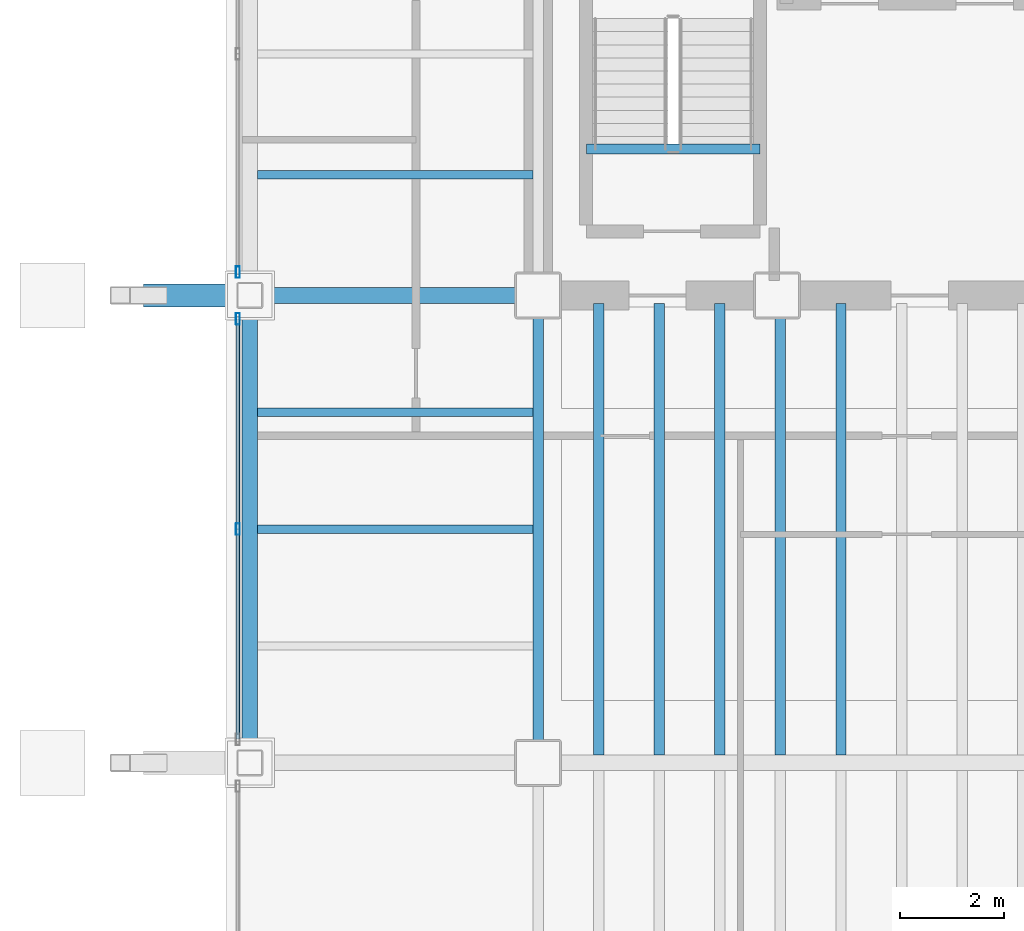
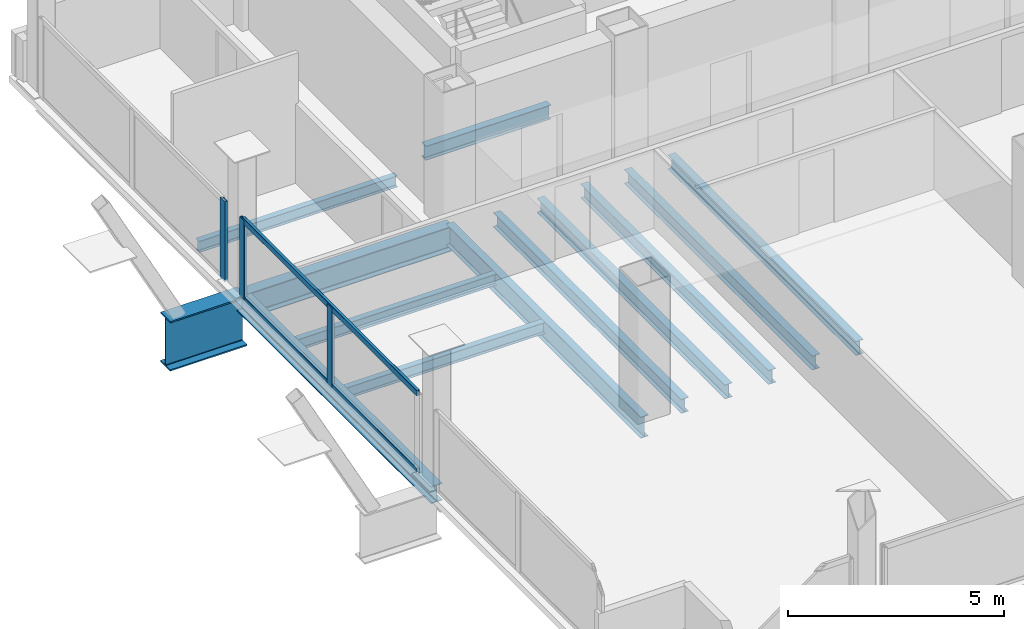
# One storey, part 6 of 21: 13 beams, 5 members, 2 elements without a shape of their own.
"""IFC4 building model written with IfcOpenShell, lengths in metres."""

from ifc_helpers import new_model, si_unit, direction, frame, origin, origin_2d, place, context, subcontext, project, spatial, hollow_rectangle, i_section, extrude, material, material_profile, profile_set, type_object, element, aggregate, save


model = new_model("IFC4")

# Units and contexts
model_context = context("Model", 3, precision=1e-05, world=origin(), true_north=direction((0.0, 1.0)))
body_context = subcontext(model_context, "Body", "Model", "MODEL_VIEW")
ifc_project = project(units=[si_unit("LENGTHUNIT", "METRE"), si_unit("AREAUNIT", "SQUARE_METRE"), si_unit("VOLUMEUNIT", "CUBIC_METRE"), si_unit("PLANEANGLEUNIT", "RADIAN"), si_unit("MASSUNIT", "GRAM", prefix="KILO")], contexts=[model_context])

# Site, building, storey
site_placement = place(None, origin())
site = spatial("IfcSite", under=ifc_project, at=site_placement, CompositionType="ELEMENT")
building_placement = place(site_placement, origin())
building = spatial("IfcBuilding", under=site, at=building_placement, Name="Noeulbin Bourse Tower", CompositionType="ELEMENT")
storey_placement = place(building_placement, frame((0.0, 0.0, 111.0)))
storey = spatial("IfcBuildingStorey", under=building, at=storey_placement, Name="L27", CompositionType="ELEMENT", Elevation=111.0)

# Beams
ifc_material_1 = material(Name="Steel S355", Category="steel")
ifc_material_profile_1 = material_profile(ifc_material_1, i_section(OverallWidth=0.199951171875, OverallDepth=0.60009765625, WebThickness=0.010986328125, FlangeThickness=0.01708984375, FilletRadius=0.02197265625, at=origin_2d()), Name="H-600x200x11x17", Category="LoadBearing")
ifc_profile_set_1 = profile_set([ifc_material_profile_1], Name="Steel S355")
beam_type_1 = type_object("IfcBeamType", Name="BM-GRD-600", PredefinedType="USERDEFINED", material=ifc_profile_set_1)
beam_1_placement = place(storey_placement, frame((13.5, 20.0, -0.47998046875), z_axis=(0.0, 1.0, 0.0), x_axis=(-1.0, 0.0, 0.0)))
element("IfcBeam", 1, at=beam_1_placement, inside=storey, type_object=beam_type_1, Name="Tower Primary Girder NS L27-1.2", ObjectType="GIRDER", PredefinedType="USERDEFINED", context=body_context, shape_type="SweptSolid", body=[
    extrude(i_section(OverallWidth=0.199951171875, OverallDepth=0.60009765625, WebThickness=0.010986328125, FlangeThickness=0.01708984375, FilletRadius=0.02197265625, at=origin_2d()), origin(), (0.0, 0.0, 1.0), 9.0),
])
ifc_material_profile_2 = material_profile(ifc_material_1, i_section(OverallWidth=0.300048828125, OverallDepth=0.699951171875, WebThickness=0.012939453125, FlangeThickness=0.02392578125, FilletRadius=0.02392578125, at=origin_2d()), Name="H-700x300x13x24", Category="LoadBearing")
ifc_profile_set_2 = profile_set([ifc_material_profile_2], Name="Steel S355")
beam_type_2 = type_object("IfcBeamType", Name="BM-GRD-700", PredefinedType="USERDEFINED", material=ifc_profile_set_2)
beam_2_placement = place(storey_placement, frame((7.949951171875, 29.0, -0.530029296875), z_axis=(1.0, 0.0, 0.0), x_axis=(0.0, 1.0, 0.0)))
element("IfcBeam", 2, at=beam_2_placement, inside=storey, type_object=beam_type_2, Name="Tower Primary Girder EW L27-2.1", ObjectType="GIRDER", PredefinedType="USERDEFINED", context=body_context, shape_type="SweptSolid", body=[
    extrude(i_section(OverallWidth=0.300048828125, OverallDepth=0.699951171875, WebThickness=0.012939453125, FlangeThickness=0.02392578125, FilletRadius=0.02392578125, at=origin_2d()), origin(), (0.0, 0.0, 1.0), 5.550048828125),
])
ifc_material_profile_3 = material_profile(ifc_material_1, i_section(OverallWidth=0.159912109375, OverallDepth=0.320068359375, WebThickness=0.006591796875, FlangeThickness=0.010009765625, FilletRadius=0.012939453125, at=origin_2d()), Name="H-320x160x6.5x10", Category="LoadBearing")
ifc_profile_set_3 = profile_set([ifc_material_profile_3], Name="Steel S355")
beam_type_3 = type_object("IfcBeamType", Name="BM-JST-320", PredefinedType="JOIST", material=ifc_profile_set_3)
for number, where, z_axis, x_axis, name in (
    (3, (8.10009765625, 24.5, -0.340087890625), (1.0, 0.0, 0.0), (0.0, 1.0, 0.0), "Wing Composite Joist L27-W71"),
    (4, (8.10009765625, 26.75, -0.340087890625), (1.0, 0.0, 0.0), (0.0, 1.0, 0.0), "Wing Composite Joist L27-W72"),
    (5, (8.10009765625, 31.324951171875, -0.340087890625), (1.0, 0.0, 0.0), (0.0, 1.0, 0.0), "Wing Composite Joist L27-W73"),
):
    element("IfcBeam", number, at=place(storey_placement, frame(where, z_axis=z_axis, x_axis=x_axis)), inside=storey, type_object=beam_type_3, Name=name, PredefinedType="JOIST", context=body_context, shape_type="SweptSolid", body=[
        extrude(i_section(OverallWidth=0.159912109375, OverallDepth=0.320068359375, WebThickness=0.006591796875, FlangeThickness=0.010009765625, FilletRadius=0.012939453125, at=origin_2d()), origin(), (0.0, 0.0, 1.0), 5.2998046875),
    ])
ifc_material_profile_4 = material_profile(ifc_material_1, i_section(OverallWidth=0.199951171875, OverallDepth=0.39990234375, WebThickness=0.008056640625, FlangeThickness=0.012939453125, FilletRadius=0.01611328125, at=origin_2d()), Name="H-400x200x8x13", Category="LoadBearing")
ifc_profile_set_4 = profile_set([ifc_material_profile_4], Name="Steel S355")
beam_type_4 = type_object("IfcBeamType", Name="BM-SEC-400", PredefinedType="BEAM", material=ifc_profile_set_4)
for number, where, z_axis, x_axis, name in (
    (6, (14.666748046875, 20.14990234375, -0.3798828125), (0.0, 1.0, 0.0), (-1.0, 0.0, 0.0), "Tower Composite Joist L27-02"),
    (7, (15.833251953125, 20.14990234375, -0.3798828125), (0.0, 1.0, 0.0), (-1.0, 0.0, 0.0), "Tower Composite Joist L27-05"),
    (8, (17.0, 20.14990234375, -0.3798828125), (0.0, 1.0, 0.0), (-1.0, 0.0, 0.0), "Tower Composite Joist L27-08"),
    (9, (18.166748046875, 20.14990234375, -0.3798828125), (0.0, 1.0, 0.0), (-1.0, 0.0, 0.0), "Tower Composite Joist L27-11"),
    (10, (19.333251953125, 20.14990234375, -0.3798828125), (0.0, 1.0, 0.0), (-1.0, 0.0, 0.0), "Tower Composite Joist L27-14"),
):
    element("IfcBeam", number, at=place(storey_placement, frame(where, z_axis=z_axis, x_axis=x_axis)), inside=storey, type_object=beam_type_4, Name=name, PredefinedType="BEAM", context=body_context, shape_type="SweptSolid", body=[
        extrude(i_section(OverallWidth=0.199951171875, OverallDepth=0.39990234375, WebThickness=0.008056640625, FlangeThickness=0.012939453125, FilletRadius=0.01611328125, at=origin_2d()), origin(), (0.0, 0.0, 1.0), 8.7001953125),
    ])
beam_3_placement = place(storey_placement, frame((14.429931640625, 31.820068359375, -0.199951171875), z_axis=(1.0, 0.0, 0.0), x_axis=(0.0, 1.0, 0.0)))
element("IfcBeam", 11, at=beam_3_placement, inside=storey, type_object=beam_type_4, Name="Stair Threshold Trimmer Beam ST1-L27", PredefinedType="BEAM", context=body_context, shape_type="SweptSolid", body=[
    extrude(i_section(OverallWidth=0.199951171875, OverallDepth=0.39990234375, WebThickness=0.008056640625, FlangeThickness=0.012939453125, FilletRadius=0.01611328125, at=origin_2d()), origin(), (0.0, 0.0, 1.0), 3.340087890625),
])
ifc_material_profile_5 = material_profile(ifc_material_1, i_section(OverallWidth=0.300048828125, OverallDepth=0.488037109375, WebThickness=0.010986328125, FlangeThickness=0.01806640625, FilletRadius=0.02197265625, at=origin_2d()), Name="H-488x300x11x18", Category="LoadBearing")
ifc_profile_set_5 = profile_set([ifc_material_profile_5], Name="Steel S355")
beam_type_5 = type_object("IfcBeamType", Name="BM-SPN-488", PredefinedType="SPANDREL", material=ifc_profile_set_5)
beam_4_placement = place(storey_placement, frame((7.949951171875, 20.0, -0.424072265625), z_axis=(0.0, 1.0, 0.0), x_axis=(-1.0, 0.0, 0.0)))
element("IfcBeam", 12, at=beam_4_placement, inside=storey, type_object=beam_type_5, Name="West Spandrel L27-1", PredefinedType="SPANDREL", context=body_context, shape_type="SweptSolid", body=[
    extrude(i_section(OverallWidth=0.300048828125, OverallDepth=0.488037109375, WebThickness=0.010986328125, FlangeThickness=0.01806640625, FilletRadius=0.02197265625, at=origin_2d()), origin(), (0.0, 0.0, 1.0), 9.0),
])
ifc_material_2 = material(Name="Steel S460", Category="steel")
ifc_material_profile_6 = material_profile(ifc_material_2, i_section(OverallWidth=0.449951171875, OverallDepth=1.39990234375, WebThickness=0.02392578125, FlangeThickness=0.0400390625, FilletRadius=0.02392578125, at=origin_2d()), Name="PG-1400x450x24x40", Category="LoadBearing")
ifc_profile_set_6 = profile_set([ifc_material_profile_6], Name="Steel S460")
beam_type_6 = type_object("IfcBeamType", Name="BM-TRF-1400", PredefinedType="USERDEFINED", material=ifc_profile_set_6)
beam_5_placement = place(storey_placement, frame((5.89990234375, 29.0, -0.8798828125), z_axis=(1.0, 0.0, 0.0), x_axis=(0.0, 1.0, 0.0)))
element("IfcBeam", 13, at=beam_5_placement, inside=storey, type_object=beam_type_6, Name="Transfer Outrigger Corbel L27-02", ObjectType="GIRDER", PredefinedType="USERDEFINED", context=body_context, shape_type="SweptSolid", body=[
    extrude(i_section(OverallWidth=0.449951171875, OverallDepth=1.39990234375, WebThickness=0.02392578125, FlangeThickness=0.0400390625, FilletRadius=0.02392578125, at=origin_2d()), origin(), (0.0, 0.0, 1.0), 2.050048828125),
])

# Curtain wall, members
ifc_material_3 = material(Name="Dark Tinted Triple Glazing", Category="glass")
curtain_wall_type = type_object("IfcCurtainWallType", Name="CW-SYS-3", PredefinedType="NOTDEFINED", material=ifc_material_3)
curtain_wall_1_placement = place(storey_placement, origin())
curtain_wall_1 = element("IfcCurtainWall", 14, at=curtain_wall_1_placement, inside=storey, type_object=curtain_wall_type, Name="Unitised Curtain Wall CW-L27-W-S2", PredefinedType="NOTDEFINED")
ifc_material_4 = material(Name="Anodised Aluminium 6063-T6", Category="aluminium")
ifc_material_profile_7 = material_profile(ifc_material_4, hollow_rectangle(XDim=0.074951171875, YDim=0.219970703125, WallThickness=0.0048828125, InnerFilletRadius=0.00244140625, OuterFilletRadius=0.0048828125, at=origin_2d()), Name="ALU-MULL-75x220x5", Category="LoadBearing")
ifc_profile_set_7 = profile_set([ifc_material_profile_7], Name="Anodised Aluminium 6063-T6")
member_type_1 = type_object("IfcMemberType", Name="CW-SYS-3-MUL", PredefinedType="MULLION", material=ifc_profile_set_7)
member_1_placement = place(storey_placement, frame((7.719970703125, 24.5, -0.02001953125), z_axis=(0.0, 0.0, 1.0), x_axis=(1.0, 0.0, 0.0)))
member_1 = element("IfcMember", 15, at=member_1_placement, type_object=member_type_1, Name="Curtain Wall Mullion CW-L27-W-S2-M01", PredefinedType="MULLION", context=body_context, shape_type="SweptSolid", body=[
    extrude(hollow_rectangle(XDim=0.074951171875, YDim=0.219970703125, WallThickness=0.0048828125, InnerFilletRadius=0.00244140625, OuterFilletRadius=0.0048828125, at=origin_2d()), origin(), (0.0, 0.0, 1.0), 2.260009765625),
])
member_2_placement = place(storey_placement, frame((7.719970703125, 28.550048828125, -0.02001953125), z_axis=(0.0, 0.0, 1.0), x_axis=(1.0, 0.0, 0.0)))
member_2 = element("IfcMember", 16, at=member_2_placement, type_object=member_type_1, Name="Curtain Wall Mullion CW-L27-W-S2-M02", PredefinedType="MULLION", context=body_context, shape_type="SweptSolid", body=[
    extrude(hollow_rectangle(XDim=0.074951171875, YDim=0.219970703125, WallThickness=0.0048828125, InnerFilletRadius=0.00244140625, OuterFilletRadius=0.0048828125, at=origin_2d()), origin(), (0.0, 0.0, 1.0), 2.260009765625),
])

# Curtain wall, member
curtain_wall_2_placement = place(storey_placement, origin())
curtain_wall_2 = element("IfcCurtainWall", 17, at=curtain_wall_2_placement, inside=storey, type_object=curtain_wall_type, Name="Unitised Curtain Wall CW-L27-W-S3", PredefinedType="NOTDEFINED")
member_3_placement = place(storey_placement, frame((7.719970703125, 29.449951171875, -0.02001953125), z_axis=(0.0, 0.0, 1.0), x_axis=(1.0, 0.0, 0.0)))
member_3 = element("IfcMember", 18, at=member_3_placement, type_object=member_type_1, Name="Curtain Wall Mullion CW-L27-W-S3-M00", PredefinedType="MULLION", context=body_context, shape_type="SweptSolid", body=[
    extrude(hollow_rectangle(XDim=0.074951171875, YDim=0.219970703125, WallThickness=0.0048828125, InnerFilletRadius=0.00244140625, OuterFilletRadius=0.0048828125, at=origin_2d()), origin(), (0.0, 0.0, 1.0), 2.260009765625),
])
aggregate(curtain_wall_2, [member_3])

# Member
ifc_material_profile_8 = material_profile(ifc_material_4, hollow_rectangle(XDim=0.074951171875, YDim=0.159912109375, WallThickness=0.0048828125, InnerFilletRadius=0.00244140625, OuterFilletRadius=0.0048828125, at=origin_2d()), Name="ALU-TRAN-75x160x5", Category="LoadBearing")
ifc_profile_set_8 = profile_set([ifc_material_profile_8], Name="Anodised Aluminium 6063-T6")
member_type_2 = type_object("IfcMemberType", Name="CW-SYS-3-TRN", PredefinedType="USERDEFINED", material=ifc_profile_set_8)
member_4_placement = place(storey_placement, frame((7.719970703125, 20.4599609375, 0.010009765625), z_axis=(0.0, 1.0, 0.0), x_axis=(-1.0, 0.0, 0.0)))
member_4 = element("IfcMember", 19, at=member_4_placement, type_object=member_type_2, Name="Curtain Wall Transom CW-L27-W-S2-T00", ObjectType="TRANSOM", PredefinedType="USERDEFINED", context=body_context, shape_type="SweptSolid", body=[
    extrude(hollow_rectangle(XDim=0.074951171875, YDim=0.159912109375, WallThickness=0.0048828125, InnerFilletRadius=0.00244140625, OuterFilletRadius=0.0048828125, at=origin_2d()), origin(), (0.0, 0.0, 1.0), 8.080078125),
])

member_5_placement = place(storey_placement, frame((7.719970703125, 20.4599609375, 2.2099609375), z_axis=(0.0, 1.0, 0.0), x_axis=(-1.0, 0.0, 0.0)))
member_5 = element("IfcMember", 20, at=member_5_placement, type_object=member_type_2, Name="Curtain Wall Transom CW-L27-W-S2-T01", ObjectType="TRANSOM", PredefinedType="USERDEFINED", context=body_context, shape_type="SweptSolid", body=[
    extrude(hollow_rectangle(XDim=0.074951171875, YDim=0.159912109375, WallThickness=0.0048828125, InnerFilletRadius=0.00244140625, OuterFilletRadius=0.0048828125, at=origin_2d()), origin(), (0.0, 0.0, 1.0), 8.080078125),
])

aggregate(curtain_wall_1, [member_1, member_2, member_4, member_5])

save(model, "model.ifc")
